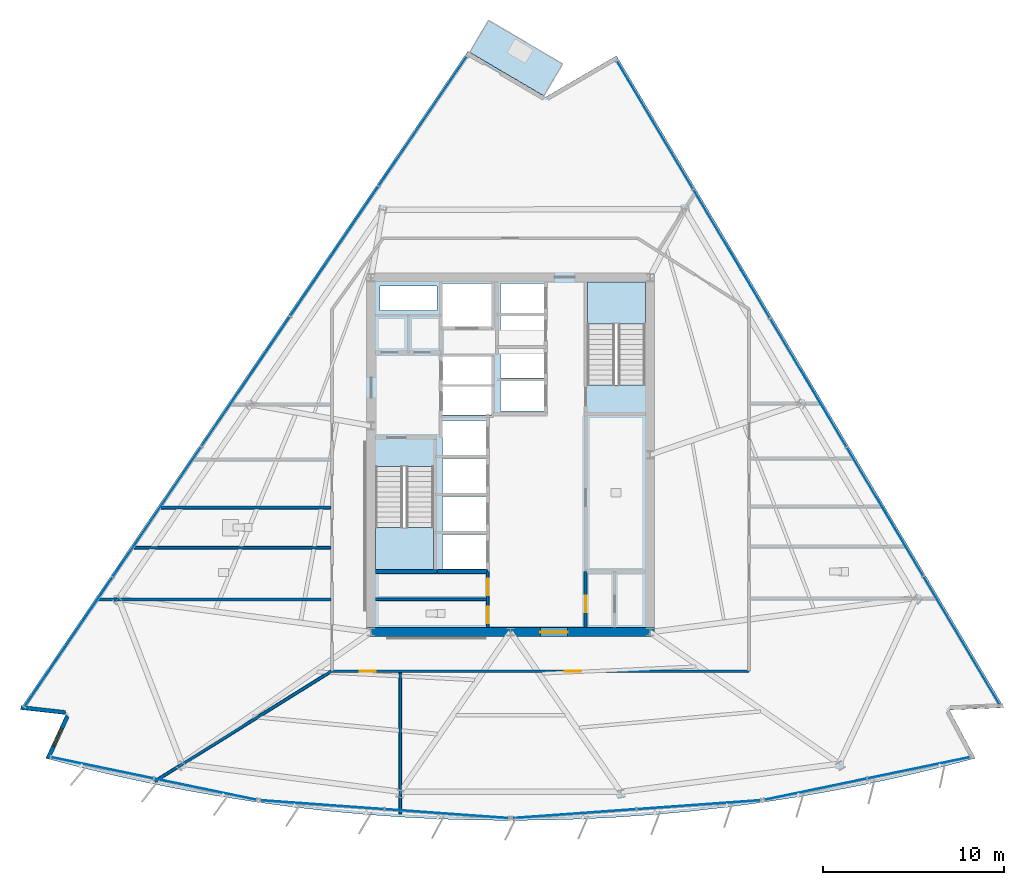
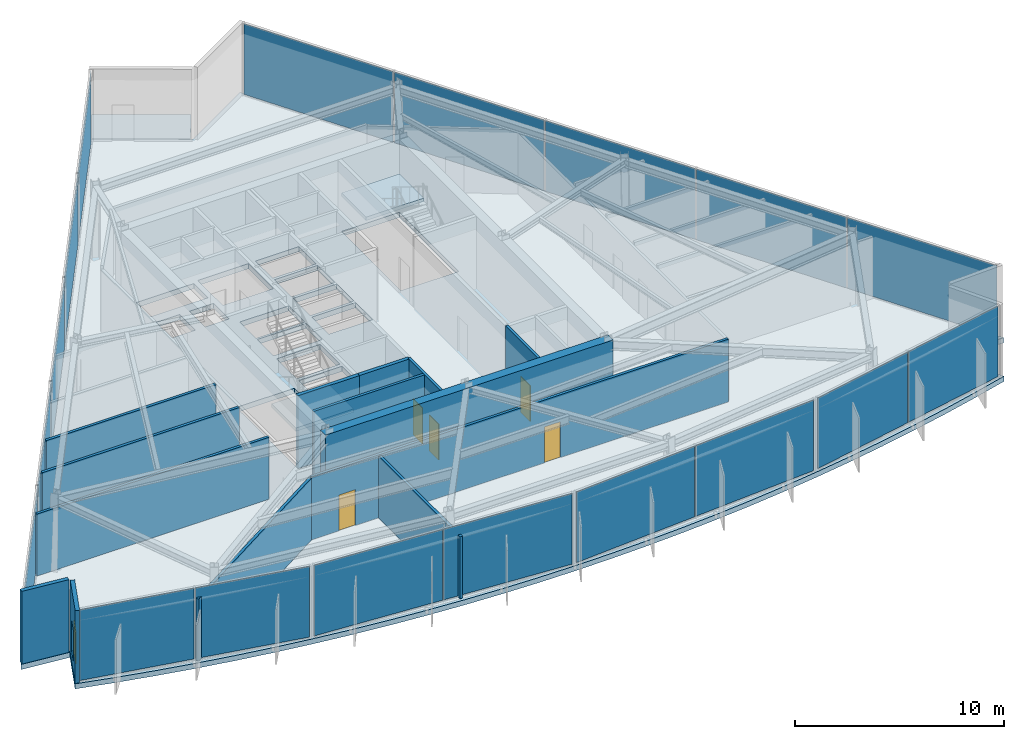
# One storey, part 6 of 14: 18 plates, 14 walls, 6 doors, 4 slabs, 1 window, 7 openings, 8 elements without a shape of their own.
"""IFC4 building model written with IfcOpenShell, lengths in metres."""

from ifc_helpers import new_model, si_unit, direction, frame, frame_2d, origin, origin_2d, place, context, subcontext, project, spatial, polyline, rectangle, outline, extrude, material, layer, layer_set, type_object, element, fill, aggregate, save


model = new_model("IFC4")

# Units and contexts
model_context = context("Model", 3, precision=1e-05, world=origin(), true_north=direction((0.0, 1.0)))
body_context = subcontext(model_context, "Body", "Model", "MODEL_VIEW")
ifc_project = project(units=[si_unit("LENGTHUNIT", "METRE"), si_unit("AREAUNIT", "SQUARE_METRE"), si_unit("VOLUMEUNIT", "CUBIC_METRE"), si_unit("PLANEANGLEUNIT", "RADIAN"), si_unit("MASSUNIT", "GRAM", prefix="KILO")], contexts=[model_context])

# Site, building, storey
site_placement = place(None, origin())
site = spatial("IfcSite", under=ifc_project, at=site_placement, CompositionType="ELEMENT")
building_placement = place(site_placement, origin())
building = spatial("IfcBuilding", under=site, at=building_placement, Name="Savorim Split Tower", CompositionType="ELEMENT")
storey_placement = place(building_placement, frame((0.0, 0.0, 134.10009765625)))
storey = spatial("IfcBuildingStorey", under=building, at=storey_placement, Name="L35", CompositionType="ELEMENT", Elevation=134.10009765625)

# Curtain wall, plates
ifc_material_1 = material(Name="Dark Ceramic-Fritted Insulated Glass", Category="glass")
curtain_wall_type = type_object("IfcCurtainWallType", Name="CW-SKY-ATRIUM", PredefinedType="NOTDEFINED", material=ifc_material_1)
curtain_wall_1_placement = place(storey_placement, origin())
curtain_wall_1 = element("IfcCurtainWall", 1, at=curtain_wall_1_placement, inside=storey, type_object=curtain_wall_type, Name="L35 Curtain Wall CW-L35-SF1", PredefinedType="NOTDEFINED")
ifc_layer_1 = layer(ifc_material_1, 0.028076171875)
ifc_layer_set_1 = layer_set([ifc_layer_1], Name="CWP-FRITA-28")
plate_type = type_object("IfcPlateType", Name="CWP-FRITA-28", PredefinedType="CURTAIN_PANEL", material=ifc_layer_set_1)
plate_1_placement = place(storey_placement, frame((-22.552001953125, -16.8916015625, 0.06005859375), z_axis=(0.0, 0.0, 1.0), x_axis=(0.979135184824, -0.203209964912, 0.0)))
plate_1 = element("IfcPlate", 2, at=plate_1_placement, type_object=plate_type, Name="CW-05 panel 1.1", PredefinedType="CURTAIN_PANEL", context=body_context, shape_type="SweptSolid", body=[
    extrude(rectangle(XDim=5.746337890625, YDim=0.028076171875, at=origin_2d()), origin(), (0.0, 0.0, 1.0), 4.1298828125),
])
plate_2_placement = place(storey_placement, frame((-16.857177734375, -18.07373046875, 0.06005859375), z_axis=(0.0, 0.0, 1.0), x_axis=(0.979135184824, -0.203209964912, 0.0)))
plate_2 = element("IfcPlate", 3, at=plate_2_placement, type_object=plate_type, Name="CW-05 panel 2.1", PredefinedType="CURTAIN_PANEL", context=body_context, shape_type="SweptSolid", body=[
    extrude(rectangle(XDim=5.746337890625, YDim=0.028076171875, at=origin_2d()), origin(), (0.0, 0.0, 1.0), 4.1298828125),
])
aggregate(curtain_wall_1, [plate_1, plate_2])

curtain_wall_2_placement = place(storey_placement, origin())
curtain_wall_2 = element("IfcCurtainWall", 4, at=curtain_wall_2_placement, inside=storey, type_object=curtain_wall_type, Name="L35 Curtain Wall CW-L35-SF2", PredefinedType="NOTDEFINED")
plate_3_placement = place(storey_placement, frame((-10.399658203125, -18.93505859375, 0.06005859375), z_axis=(0.0, 0.0, 1.0), x_axis=(0.997436231017, -0.071560918492, 0.0)))
plate_3 = element("IfcPlate", 5, at=plate_3_placement, type_object=plate_type, Name="CW-05 panel 1.1", PredefinedType="CURTAIN_PANEL", context=body_context, shape_type="SweptSolid", body=[
    extrude(rectangle(XDim=6.8232421875, YDim=0.028076171875, at=origin_2d()), origin(), (0.0, 0.0, 1.0), 4.1298828125),
])
plate_4_placement = place(storey_placement, frame((-3.524169921875, -19.428466796875, 0.06005859375), z_axis=(0.0, 0.0, 1.0), x_axis=(0.997436231017, -0.071560918492, 0.0)))
plate_4 = element("IfcPlate", 6, at=plate_4_placement, type_object=plate_type, Name="CW-05 panel 2.1", PredefinedType="CURTAIN_PANEL", context=body_context, shape_type="SweptSolid", body=[
    extrude(rectangle(XDim=6.8232421875, YDim=0.028076171875, at=origin_2d()), origin(), (0.0, 0.0, 1.0), 4.1298828125),
])
aggregate(curtain_wall_2, [plate_3, plate_4])

curtain_wall_3_placement = place(storey_placement, origin())
curtain_wall_3 = element("IfcCurtainWall", 7, at=curtain_wall_3_placement, inside=storey, type_object=curtain_wall_type, Name="L35 Curtain Wall CW-L35-SF3", PredefinedType="NOTDEFINED")
plate_5_placement = place(storey_placement, frame((3.524169921875, -19.428466796875, 0.06005859375), z_axis=(0.0, 0.0, 1.0), x_axis=(0.997436231017, 0.071560918492, 0.0)))
plate_5 = element("IfcPlate", 8, at=plate_5_placement, type_object=plate_type, Name="CW-05 panel 1.1", PredefinedType="CURTAIN_PANEL", context=body_context, shape_type="SweptSolid", body=[
    extrude(rectangle(XDim=6.8232421875, YDim=0.028076171875, at=origin_2d()), origin(), (0.0, 0.0, 1.0), 4.1298828125),
])
plate_6_placement = place(storey_placement, frame((10.399658203125, -18.93505859375, 0.06005859375), z_axis=(0.0, 0.0, 1.0), x_axis=(0.997436231017, 0.071560918492, 0.0)))
plate_6 = element("IfcPlate", 9, at=plate_6_placement, type_object=plate_type, Name="CW-05 panel 2.1", PredefinedType="CURTAIN_PANEL", context=body_context, shape_type="SweptSolid", body=[
    extrude(rectangle(XDim=6.8232421875, YDim=0.028076171875, at=origin_2d()), origin(), (0.0, 0.0, 1.0), 4.1298828125),
])
aggregate(curtain_wall_3, [plate_5, plate_6])

curtain_wall_4_placement = place(storey_placement, origin())
curtain_wall_4 = element("IfcCurtainWall", 10, at=curtain_wall_4_placement, inside=storey, type_object=curtain_wall_type, Name="L35 Curtain Wall CW-L35-SF4", PredefinedType="NOTDEFINED")
plate_7_placement = place(storey_placement, frame((16.857177734375, -18.07373046875, 0.06005859375), z_axis=(0.0, 0.0, 1.0), x_axis=(0.979135184824, 0.203209964912, 0.0)))
plate_7 = element("IfcPlate", 11, at=plate_7_placement, type_object=plate_type, Name="CW-05 panel 1.1", PredefinedType="CURTAIN_PANEL", context=body_context, shape_type="SweptSolid", body=[
    extrude(rectangle(XDim=5.746337890625, YDim=0.028076171875, at=origin_2d()), origin(), (0.0, 0.0, 1.0), 4.1298828125),
])
plate_8_placement = place(storey_placement, frame((22.552001953125, -16.8916015625, 0.06005859375), z_axis=(0.0, 0.0, 1.0), x_axis=(0.979135184824, 0.203209964912, 0.0)))
plate_8 = element("IfcPlate", 12, at=plate_8_placement, type_object=plate_type, Name="CW-05 panel 2.1", PredefinedType="CURTAIN_PANEL", context=body_context, shape_type="SweptSolid", body=[
    extrude(rectangle(XDim=5.746337890625, YDim=0.028076171875, at=origin_2d()), origin(), (0.0, 0.0, 1.0), 4.1298828125),
])
aggregate(curtain_wall_4, [plate_7, plate_8])

curtain_wall_5_placement = place(storey_placement, origin())
curtain_wall_5 = element("IfcCurtainWall", 13, at=curtain_wall_5_placement, inside=storey, type_object=curtain_wall_type, Name="L35 Curtain Wall CW-L35-EAST", PredefinedType="NOTDEFINED")
plate_9_placement = place(storey_placement, frame((24.92138671875, -9.86328125, 0.06005859375), z_axis=(0.0, 0.0, 1.0), x_axis=(-0.51109080613, 0.859526723197, 0.0)))
plate_9 = element("IfcPlate", 14, at=plate_9_placement, type_object=plate_type, Name="CW-05 panel 1.1", PredefinedType="CURTAIN_PANEL", context=body_context, shape_type="SweptSolid", body=[
    extrude(rectangle(XDim=8.18603515625, YDim=0.028076171875, at=origin_2d()), origin(), (0.0, 0.0, 1.0), 4.1298828125),
])
plate_10_placement = place(storey_placement, frame((20.69287109375, -2.751708984375, 0.06005859375), z_axis=(0.0, 0.0, 1.0), x_axis=(-0.51109080613, 0.859526723197, 0.0)))
plate_10 = element("IfcPlate", 15, at=plate_10_placement, type_object=plate_type, Name="CW-05 panel 2.1", PredefinedType="CURTAIN_PANEL", context=body_context, shape_type="SweptSolid", body=[
    extrude(rectangle(XDim=8.220947265625, YDim=0.028076171875, at=origin_2d()), origin(), (0.0, 0.0, 1.0), 4.1298828125),
])
plate_11_placement = place(storey_placement, frame((16.455322265625, 4.37451171875, 0.06005859375), z_axis=(0.0, 0.0, 1.0), x_axis=(-0.51109080613, 0.859526723197, 0.0)))
plate_11 = element("IfcPlate", 16, at=plate_11_placement, type_object=plate_type, Name="CW-05 panel 3.1", PredefinedType="CURTAIN_PANEL", context=body_context, shape_type="SweptSolid", body=[
    extrude(rectangle(XDim=8.220947265625, YDim=0.028076171875, at=origin_2d()), origin(), (0.0, 0.0, 1.0), 4.1298828125),
])
plate_12_placement = place(storey_placement, frame((12.218017578125, 11.5009765625, 0.06005859375), z_axis=(0.0, 0.0, 1.0), x_axis=(-0.51109080613, 0.859526723197, 0.0)))
plate_12 = element("IfcPlate", 17, at=plate_12_placement, type_object=plate_type, Name="CW-05 panel 4.1", PredefinedType="CURTAIN_PANEL", context=body_context, shape_type="SweptSolid", body=[
    extrude(rectangle(XDim=8.220947265625, YDim=0.028076171875, at=origin_2d()), origin(), (0.0, 0.0, 1.0), 4.1298828125),
])
plate_13_placement = place(storey_placement, frame((7.989501953125, 18.6123046875, 0.06005859375), z_axis=(0.0, 0.0, 1.0), x_axis=(-0.51109080613, 0.859526723197, 0.0)))
plate_13 = element("IfcPlate", 18, at=plate_13_placement, type_object=plate_type, Name="CW-05 panel 5.1", PredefinedType="CURTAIN_PANEL", context=body_context, shape_type="SweptSolid", body=[
    extrude(rectangle(XDim=8.18603515625, YDim=0.028076171875, at=origin_2d()), origin(), (0.0, 0.0, 1.0), 4.1298828125),
])
aggregate(curtain_wall_5, [plate_9, plate_10, plate_11, plate_12, plate_13])

curtain_wall_6_placement = place(storey_placement, origin())
curtain_wall_6 = element("IfcCurtainWall", 19, at=curtain_wall_6_placement, inside=storey, type_object=curtain_wall_type, Name="L35 Curtain Wall CW-L35-WEST", PredefinedType="NOTDEFINED")
plate_14_placement = place(storey_placement, frame((-4.841552734375, 18.826904296875, 0.06005859375), z_axis=(0.0, 0.0, 1.0), x_axis=(-0.562466987768, -0.826819743155, 0.0)))
plate_14 = element("IfcPlate", 20, at=plate_14_placement, type_object=plate_type, Name="CW-05 panel 1.1", PredefinedType="CURTAIN_PANEL", context=body_context, shape_type="SweptSolid", body=[
    extrude(rectangle(XDim=8.603759765625, YDim=0.028076171875, at=origin_2d()), origin(), (0.0, 0.0, 1.0), 4.1298828125),
])
plate_15_placement = place(storey_placement, frame((-9.730224609375, 11.640869140625, 0.06005859375), z_axis=(0.0, 0.0, 1.0), x_axis=(-0.562466987768, -0.826819743155, 0.0)))
plate_15 = element("IfcPlate", 21, at=plate_15_placement, type_object=plate_type, Name="CW-05 panel 2.1", PredefinedType="CURTAIN_PANEL", context=body_context, shape_type="SweptSolid", body=[
    extrude(rectangle(XDim=8.638671875, YDim=0.028076171875, at=origin_2d()), origin(), (0.0, 0.0, 1.0), 4.1298828125),
])
plate_16_placement = place(storey_placement, frame((-14.628662109375, 4.440185546875, 0.06005859375), z_axis=(0.0, 0.0, 1.0), x_axis=(-0.562466987768, -0.826819743155, 0.0)))
plate_16 = element("IfcPlate", 22, at=plate_16_placement, type_object=plate_type, Name="CW-05 panel 3.1", PredefinedType="CURTAIN_PANEL", context=body_context, shape_type="SweptSolid", body=[
    extrude(rectangle(XDim=8.638671875, YDim=0.028076171875, at=origin_2d()), origin(), (0.0, 0.0, 1.0), 4.1298828125),
])
plate_17_placement = place(storey_placement, frame((-19.52685546875, -2.76025390625, 0.06005859375), z_axis=(0.0, 0.0, 1.0), x_axis=(-0.562466987768, -0.826819743155, 0.0)))
plate_17 = element("IfcPlate", 23, at=plate_17_placement, type_object=plate_type, Name="CW-05 panel 4.1", PredefinedType="CURTAIN_PANEL", context=body_context, shape_type="SweptSolid", body=[
    extrude(rectangle(XDim=8.638671875, YDim=0.028076171875, at=origin_2d()), origin(), (0.0, 0.0, 1.0), 4.1298828125),
])
plate_18_placement = place(storey_placement, frame((-24.41552734375, -9.946533203125, 0.06005859375), z_axis=(0.0, 0.0, 1.0), x_axis=(-0.562466987768, -0.826819743155, 0.0)))
plate_18 = element("IfcPlate", 24, at=plate_18_placement, type_object=plate_type, Name="CW-05 panel 5.1", PredefinedType="CURTAIN_PANEL", context=body_context, shape_type="SweptSolid", body=[
    extrude(rectangle(XDim=8.603759765625, YDim=0.028076171875, at=origin_2d()), origin(), (0.0, 0.0, 1.0), 4.1298828125),
])
aggregate(curtain_wall_6, [plate_14, plate_15, plate_16, plate_17, plate_18])

# Slab
ifc_material_2 = material(Name="Concrete C50/60", Category="concrete")
ifc_layer_2 = layer(ifc_material_2, 0.219970703125)
ifc_layer_set_2 = layer_set([ifc_layer_2], Name="SLB-BAL-220")
slab_type_1 = type_object("IfcSlabType", Name="SLB-BAL-220", PredefinedType="FLOOR", material=ifc_layer_set_2)
slab_1_placement = place(storey_placement, frame((0.0, 0.0, -0.22021484375)))
element("IfcSlab", 25, at=slab_1_placement, inside=storey, type_object=slab_type_1, Name="L35 Notched Corner Planted Tree Balcony Slab", PredefinedType="FLOOR", context=body_context, shape_type="SweptSolid", body=[
    extrude(outline(polyline([(-2.252197265625, 22.634521484375), (1.842529296875, 20.227783203125), (2.87890625, 21.990966796875), (-1.2158203125, 24.397705078125), (-2.252197265625, 22.634521484375)])), origin(), (0.0, 0.0, 1.0), 0.22021484375),
])

# Stair, slab
stair_type = type_object("IfcStairType", Name="STR-DOG-4500", PredefinedType="HALF_TURN_STAIR", material=ifc_material_2)
stair_1_placement = place(storey_placement, origin())
stair_1 = element("IfcStair", 26, at=stair_1_placement, inside=storey, type_object=stair_type, Name="L35 Core Protected Exit Stair ST-1", PredefinedType="HALF_TURN_STAIR")
ifc_layer_3 = layer(ifc_material_2, 0.199951171875)
ifc_layer_set_3 = layer_set([ifc_layer_3], Name="SLB-LND-200")
slab_type_2 = type_object("IfcSlabType", Name="SLB-LND-200", PredefinedType="LANDING", material=ifc_layer_set_3)
slab_2_placement = place(storey_placement, frame((0.0, 0.0, 2.0498046875)))
slab_2 = element("IfcSlab", 27, at=slab_2_placement, type_object=slab_type_2, Name="ST-1 landing 1", PredefinedType="LANDING", context=body_context, shape_type="SweptSolid", body=[
    extrude(outline(polyline([(-7.449951171875, -3.610107421875), (-7.449951171875, -5.949951171875), (-4.25, -5.949951171875), (-4.25, -3.610107421875), (-7.449951171875, -3.610107421875)])), origin(), (0.0, 0.0, 1.0), 0.2001953125),
])
aggregate(stair_1, [slab_2])

stair_2_placement = place(storey_placement, origin())
stair_2 = element("IfcStair", 28, at=stair_2_placement, inside=storey, type_object=stair_type, Name="L35 Core Protected Exit Stair ST-2", PredefinedType="HALF_TURN_STAIR")
slab_3_placement = place(storey_placement, frame((0.0, 0.0, 2.0498046875)))
slab_3 = element("IfcSlab", 29, at=slab_3_placement, type_object=slab_type_2, Name="ST-2 landing 1", PredefinedType="LANDING", context=body_context, shape_type="SweptSolid", body=[
    extrude(outline(polyline([(7.449951171875, 7.610107421875), (7.449951171875, 9.949951171875), (4.25, 9.949951171875), (4.25, 7.610107421875), (7.449951171875, 7.610107421875)])), origin(), (0.0, 0.0, 1.0), 0.2001953125),
])
aggregate(stair_2, [slab_3])

# Slab
ifc_layer_4 = layer(ifc_material_2, 0.300048828125)
ifc_layer_set_4 = layer_set([ifc_layer_4], Name="SLB-SKY-300")
slab_type_3 = type_object("IfcSlabType", Name="SLB-SKY-300", PredefinedType="FLOOR", material=ifc_layer_set_4)
slab_4_placement = place(storey_placement, frame((0.0, 0.0, -0.300048828125)))
element("IfcSlab", 30, at=slab_4_placement, inside=storey, type_object=slab_type_3, Name="L35 Structural Floor Slab", PredefinedType="FLOOR", context=body_context, shape_type="SweptSolid", body=[
    extrude(outline(polyline([(-25.673583984375, -16.366455078125), (-23.740234375, -16.8720703125), (-21.797119140625, -17.337890625), (-19.844482421875, -17.763916015625), (-17.8837890625, -18.150146484375), (-15.915771484375, -18.495849609375), (-13.94091796875, -18.801513671875), (-11.960205078125, -19.06640625), (-9.974609375, -19.291015625), (-7.984619140625, -19.474609375), (-5.991455078125, -19.61767578125), (-3.99560546875, -19.7197265625), (-1.998291015625, -19.78125), (0.0, -19.801513671875), (1.998291015625, -19.78125), (3.99560546875, -19.7197265625), (5.991455078125, -19.61767578125), (7.984619140625, -19.474609375), (9.974609375, -19.291015625), (11.960205078125, -19.06640625), (13.94091796875, -18.801513671875), (15.915771484375, -18.495849609375), (17.8837890625, -18.150146484375), (19.844482421875, -17.763916015625), (21.797119140625, -17.337890625), (23.740234375, -16.8720703125), (25.673583984375, -16.366455078125), (24.24169921875, -13.69775390625), (27.2646484375, -13.569091796875), (5.852294921875, 22.44091796875), (1.943603515625, 20.162841796875), (-2.358154296875, 22.69091796875), (-27.097412109375, -13.675537109375), (-24.567138671875, -13.9580078125), (-25.673583984375, -16.366455078125)]), holes=[polyline([(-7.449951171875, -0.25390625), (-7.449951171875, -5.949951171875), (-4.25, -5.949951171875), (-4.25, -0.25390625), (-7.449951171875, -0.25390625)]), polyline([(7.449951171875, 4.25390625), (7.449951171875, 9.949951171875), (4.25, 9.949951171875), (4.25, 4.25390625), (7.449951171875, 4.25390625)]), polyline([(-3.75, -5.89990234375), (-1.35009765625, -5.89990234375), (-1.35009765625, -4.0), (-3.75, -4.0), (-3.75, -5.89990234375)]), polyline([(-3.75, -3.800048828125), (-1.35009765625, -3.800048828125), (-1.35009765625, -1.89990234375), (-3.75, -1.89990234375), (-3.75, -3.800048828125)]), polyline([(-3.75, -1.699951171875), (-1.35009765625, -1.699951171875), (-1.35009765625, 0.199951171875), (-3.75, 0.199951171875), (-3.75, -1.699951171875)]), polyline([(-3.75, 0.39990234375), (-1.35009765625, 0.39990234375), (-1.35009765625, 2.300048828125), (-3.75, 2.300048828125), (-3.75, 0.39990234375)]), polyline([(-0.550048828125, 2.830078125), (1.85009765625, 2.830078125), (1.85009765625, 4.469970703125), (-0.550048828125, 4.469970703125), (-0.550048828125, 2.830078125)]), polyline([(-0.550048828125, 4.6298828125), (1.85009765625, 4.6298828125), (1.85009765625, 6.27001953125), (-0.550048828125, 6.27001953125), (-0.550048828125, 4.6298828125)]), polyline([(-0.550048828125, 6.429931640625), (1.85009765625, 6.429931640625), (1.85009765625, 8.070068359375), (-0.550048828125, 8.070068359375), (-0.550048828125, 6.429931640625)]), polyline([(-0.550048828125, 8.22998046875), (1.85009765625, 8.22998046875), (1.85009765625, 9.8701171875), (-0.550048828125, 9.8701171875), (-0.550048828125, 8.22998046875)]), polyline([(-3.75, 2.60009765625), (-1.050048828125, 2.60009765625), (-1.050048828125, 4.159912109375), (-3.75, 4.159912109375), (-3.75, 2.60009765625)]), polyline([(-3.75, 4.280029296875), (-1.050048828125, 4.280029296875), (-1.050048828125, 5.840087890625), (-3.75, 5.840087890625), (-3.75, 4.280029296875)]), polyline([(-3.75, 7.449951171875), (-0.949951171875, 7.449951171875), (-0.949951171875, 9.85009765625), (-3.75, 9.85009765625), (-3.75, 7.449951171875)]), polyline([(-7.219970703125, 6.320068359375), (-5.919921875, 6.320068359375), (-5.919921875, 7.820068359375), (-7.219970703125, 7.820068359375), (-7.219970703125, 6.320068359375)]), polyline([(-5.3798828125, 6.320068359375), (-4.050048828125, 6.320068359375), (-4.050048828125, 7.820068359375), (-5.3798828125, 7.820068359375), (-5.3798828125, 6.320068359375)]), polyline([(-7.219970703125, 8.360107421875), (-4.050048828125, 8.360107421875), (-4.050048828125, 9.719970703125), (-7.219970703125, 9.719970703125), (-7.219970703125, 8.360107421875)])]), origin(), (0.0, 0.0, 1.0), 0.300048828125),
])

# Wall, opening, door
ifc_material_3 = material(Name="Concrete C60/75", Category="concrete")
ifc_layer_5 = layer(ifc_material_3, 0.5)
ifc_layer_set_5 = layer_set([ifc_layer_5], Name="WAL-COR-SH500")
wall_type_1 = type_object("IfcWallType", Name="WAL-COR-SH500", PredefinedType="SHEAR", material=ifc_layer_set_5)
wall_1_placement = place(storey_placement, frame((-7.949951171875, -9.39990234375, 0.0), z_axis=(0.0, 0.0, 1.0), x_axis=(1.0, 0.0, 0.0)))
wall_1 = element("IfcWall", 31, at=wall_1_placement, inside=storey, type_object=wall_type_1, Name="L35 Offset Core South Shear Wall", PredefinedType="SHEAR", context=body_context, shape_type="SweptSolid", body=[
    extrude(rectangle(XDim=15.89990234375, YDim=0.5, at=frame_2d((7.949951171875, 0.0))), origin(), (0.0, 0.0, 1.0), 4.25),
])
opening_1_placement = place(wall_1_placement, frame((9.60009765625, 0.0, 0.0)))
opening_1 = element("IfcOpeningElement", 32, at=opening_1_placement, cuts=wall_1, Name="Opening DI-02", PredefinedType="OPENING", context=body_context, shape_type="SweptSolid", body=[
    extrude(rectangle(XDim=1.5, YDim=2.199951171875, at=frame_2d((0.75, 1.10009765625))), frame((0.0, 0.260009765625, 0.0), z_axis=(0.0, -1.0, 0.0), x_axis=(1.0, 0.0, 0.0)), (0.0, 0.0, 1.0), 0.52001953125),
])
ifc_material_4 = material(Name="Timber Fire Door Leaf", Category="wood")
door_type_1 = type_object("IfcDoorType", Name="DOR-DBL-1500", OperationType="NOTDEFINED", PredefinedType="DOOR", material=ifc_material_4)
door_1_placement = place(opening_1_placement, origin())
door_1 = element("IfcDoor", 33, at=door_1_placement, inside=storey, type_object=door_type_1, Name="DOR-L35-COR-LLOB - L35 Lift Lobby Main Rated Door", OperationType="DOUBLE_DOOR_SINGLE_SWING", OverallHeight=2.199951171875, OverallWidth=1.5, PredefinedType="DOOR", context=body_context, shape_type="SweptSolid", body=[
    extrude(rectangle(XDim=1.5, YDim=2.199951171875, at=frame_2d((0.75, 1.10009765625))), frame((0.0, 0.02490234375, 0.0), z_axis=(0.0, -1.0, 0.0), x_axis=(1.0, 0.0, 0.0)), (0.0, 0.0, 1.0), 0.050048828125),
])
fill(opening_1, door_1)

# Wall
ifc_material_5 = material(Name="Precast concrete C40/50", Category="concrete")
ifc_layer_6 = layer(ifc_material_5, 0.219970703125)
ifc_layer_set_6 = layer_set([ifc_layer_6], Name="WAL-EXT-CRN220")
wall_type_2 = type_object("IfcWallType", Name="WAL-EXT-CRN220", PredefinedType="SOLIDWALL", material=ifc_layer_set_6)
wall_2_placement = place(storey_placement, frame((-24.593505859375, -13.83447265625, 0.0), z_axis=(0.0, 0.0, 1.0), x_axis=(-0.993823222634, 0.110974781609, 0.0)))
element("IfcWall", 34, at=wall_2_placement, inside=storey, type_object=wall_type_2, Name="L35 Notched Corner Facade Wall SW1", PredefinedType="SOLIDWALL", context=body_context, shape_type="SweptSolid", body=[
    extrude(rectangle(XDim=2.466064453125, YDim=0.219970703125, at=frame_2d((1.23291015625, 0.0))), origin(), (0.0, 0.0, 1.0), 4.25),
])

# Wall, opening, window
wall_3_placement = place(storey_placement, frame((-25.5478515625, -16.380126953125, 0.0), z_axis=(0.0, 0.0, 1.0), x_axis=(0.417449299542, 0.908700215864, 0.0)))
wall_3 = element("IfcWall", 35, at=wall_3_placement, inside=storey, type_object=wall_type_2, Name="L35 Notched Corner Facade Wall SW", PredefinedType="SOLIDWALL", context=body_context, shape_type="SweptSolid", body=[
    extrude(rectangle(XDim=2.5703125, YDim=0.219970703125, at=frame_2d((1.28515625, 0.0))), origin(), (0.0, 0.0, 1.0), 4.25),
])
opening_2_placement = place(wall_3_placement, frame((0.735107421875, 0.0, 0.6201171875)))
opening_2 = element("IfcOpeningElement", 36, at=opening_2_placement, cuts=wall_3, Name="Opening WN-09", PredefinedType="OPENING", context=body_context, shape_type="SweptSolid", body=[
    extrude(rectangle(XDim=1.10009765625, YDim=1.800048828125, at=frame_2d((0.550048828125, 0.89990234375))), frame((0.0, 0.119873046875, 0.0), z_axis=(0.0, -1.0, 0.0), x_axis=(1.0, 0.0, 0.0)), (0.0, 0.0, 1.0), 0.239990234375),
])
ifc_material_6 = material(Name="Low-E Operable Double Glazing", Category="glass")
window_type = type_object("IfcWindowType", Name="WIN-TWR-1100x1800", PartitioningType="SINGLE_PANEL", PredefinedType="WINDOW", material=ifc_material_6)
window_placement = place(opening_2_placement, origin())
window = element("IfcWindow", 37, at=window_placement, inside=storey, type_object=window_type, Name="L35 Operable Corner Window SW", OverallHeight=1.800048828125, OverallWidth=1.10009765625, PartitioningType="SINGLE_PANEL", PredefinedType="WINDOW", context=body_context, shape_type="SweptSolid", body=[
    extrude(rectangle(XDim=1.10009765625, YDim=1.800048828125, at=frame_2d((0.550048828125, 0.89990234375))), frame((0.0, 0.030029296875, 0.0), z_axis=(0.0, -1.0, 0.0), x_axis=(1.0, 0.0, 0.0)), (0.0, 0.0, 1.0), 0.06005859375),
])
fill(opening_2, window)

# Walls
ifc_layer_7 = layer(ifc_material_2, 0.199951171875)
ifc_layer_set_7 = layer_set([ifc_layer_7], Name="WAL-INT-RC200")
wall_type_3 = type_object("IfcWallType", Name="WAL-INT-RC200", PredefinedType="SOLIDWALL", material=ifc_layer_set_7)
wall_4_placement = place(storey_placement, frame((-7.449951171875, -6.050048828125, 0.0), z_axis=(0.0, 0.0, 1.0), x_axis=(1.0, 0.0, 0.0)))
element("IfcWall", 38, at=wall_4_placement, inside=storey, type_object=wall_type_3, Name="L35 Structural Shaft Wall W-L35-KSEP-W", PredefinedType="SOLIDWALL", context=body_context, shape_type="SweptSolid", body=[
    extrude(rectangle(XDim=3.39990234375, YDim=0.199951171875, at=frame_2d((1.699951171875, 0.0))), origin(), (0.0, 0.0, 1.0), 4.25),
])
wall_5_placement = place(storey_placement, frame((-4.0400390625, -6.050048828125, 0.0), z_axis=(0.0, 0.0, 1.0), x_axis=(1.0, 0.0, 0.0)))
element("IfcWall", 39, at=wall_5_placement, inside=storey, type_object=wall_type_3, Name="L35 Partition W-L35-KSEP-W2", PredefinedType="SOLIDWALL", context=body_context, shape_type="SweptSolid", body=[
    extrude(rectangle(XDim=2.7900390625, YDim=0.199951171875, at=frame_2d((1.39501953125, 0.0))), origin(), (0.0, 0.0, 1.0), 4.25),
])

# Wall, openings, doors
ifc_material_7 = material(Name="Acoustic Gypsum Partition Board")
ifc_layer_8 = layer(ifc_material_7, 0.14990234375)
ifc_layer_set_8 = layer_set([ifc_layer_8], Name="WAL-PAR-150")
wall_type_4 = type_object("IfcWallType", Name="WAL-PAR-150", PredefinedType="PARTITIONING", material=ifc_layer_set_8)
wall_6_placement = place(storey_placement, frame((-1.25, -9.14501953125, 0.0), z_axis=(0.0, 0.0, 1.0), x_axis=(0.0, 1.0, 0.0)))
wall_6 = element("IfcWall", 40, at=wall_6_placement, inside=storey, type_object=wall_type_4, Name="L35 Partition W-L35-KLOB-W", PredefinedType="PARTITIONING", context=body_context, shape_type="SweptSolid", body=[
    extrude(rectangle(XDim=3.094970703125, YDim=0.14990234375, at=frame_2d((1.54736328125, 0.0))), origin(), (0.0, 0.0, 1.0), 4.25),
])
opening_3_placement = place(wall_6_placement, frame((1.794921875, 0.0, 0.0)))
opening_3 = element("IfcOpeningElement", 41, at=opening_3_placement, cuts=wall_6, Name="Opening DI-06", PredefinedType="OPENING", context=body_context, shape_type="SweptSolid", body=[
    extrude(rectangle(XDim=0.89990234375, YDim=2.10009765625, at=frame_2d((0.449951171875, 1.050048828125))), frame((0.0, 0.0849609375, 0.0), z_axis=(0.0, -1.0, 0.0), x_axis=(1.0, 0.0, 0.0)), (0.0, 0.0, 1.0), 0.169921875),
])
opening_4_placement = place(wall_6_placement, frame((0.2451171875, 0.0, 0.0)))
opening_4 = element("IfcOpeningElement", 42, at=opening_4_placement, cuts=wall_6, Name="Opening DI-11", PredefinedType="OPENING", context=body_context, shape_type="SweptSolid", body=[
    extrude(rectangle(XDim=0.89990234375, YDim=2.10009765625, at=frame_2d((0.449951171875, 1.050048828125))), frame((0.0, 0.0849609375, 0.0), z_axis=(0.0, -1.0, 0.0), x_axis=(1.0, 0.0, 0.0)), (0.0, 0.0, 1.0), 0.169921875),
])
door_type_2 = type_object("IfcDoorType", Name="DOR-FIR-900", OperationType="NOTDEFINED", PredefinedType="DOOR", material=ifc_material_4)
door_2_placement = place(opening_3_placement, origin())
door_2 = element("IfcDoor", 43, at=door_2_placement, inside=storey, type_object=door_type_2, Name="DR-L35-K2CLN - L35 Cleaning Store Door", OperationType="SINGLE_SWING_LEFT", OverallHeight=2.10009765625, OverallWidth=0.89990234375, PredefinedType="DOOR", context=body_context, shape_type="SweptSolid", body=[
    extrude(rectangle(XDim=0.89990234375, YDim=2.10009765625, at=frame_2d((0.449951171875, 1.050048828125))), frame((0.0, 0.02490234375, 0.0), z_axis=(0.0, -1.0, 0.0), x_axis=(1.0, 0.0, 0.0)), (0.0, 0.0, 1.0), 0.050048828125),
])
fill(opening_3, door_2)
ifc_material_8 = material(Name="Oak Veneer Acoustic Door")
door_type_3 = type_object("IfcDoorType", Name="DOR-WC-900", OperationType="NOTDEFINED", PredefinedType="DOOR", material=ifc_material_8)
door_3_placement = place(opening_4_placement, origin())
door_3 = element("IfcDoor", 44, at=door_3_placement, inside=storey, type_object=door_type_3, Name="DR-L35-K2WC - L35 Core WC Door", OperationType="SINGLE_SWING_RIGHT", OverallHeight=2.10009765625, OverallWidth=0.89990234375, PredefinedType="DOOR", context=body_context, shape_type="SweptSolid", body=[
    extrude(rectangle(XDim=0.89990234375, YDim=2.10009765625, at=frame_2d((0.449951171875, 1.050048828125))), frame((0.0, 0.02490234375, 0.0), z_axis=(0.0, -1.0, 0.0), x_axis=(1.0, 0.0, 0.0)), (0.0, 0.0, 1.0), 0.050048828125),
])
fill(opening_4, door_3)

# Wall, opening, door
wall_7_placement = place(storey_placement, frame((4.14990234375, -9.14501953125, 0.0), z_axis=(0.0, 0.0, 1.0), x_axis=(0.0, 1.0, 0.0)))
wall_7 = element("IfcWall", 45, at=wall_7_placement, inside=storey, type_object=wall_type_4, Name="L35 Partition W-L35-KLOB-E", PredefinedType="PARTITIONING", context=body_context, shape_type="SweptSolid", body=[
    extrude(rectangle(XDim=3.094970703125, YDim=0.14990234375, at=frame_2d((1.54736328125, 0.0))), origin(), (0.0, 0.0, 1.0), 4.25),
])
opening_5_placement = place(wall_7_placement, frame((0.844970703125, 0.0, 0.0)))
opening_5 = element("IfcOpeningElement", 46, at=opening_5_placement, cuts=wall_7, Name="Opening DI-06", PredefinedType="OPENING", context=body_context, shape_type="SweptSolid", body=[
    extrude(rectangle(XDim=0.89990234375, YDim=2.10009765625, at=frame_2d((0.449951171875, 1.050048828125))), frame((0.0, 0.0849609375, 0.0), z_axis=(0.0, -1.0, 0.0), x_axis=(1.0, 0.0, 0.0)), (0.0, 0.0, 1.0), 0.169921875),
])
door_4_placement = place(opening_5_placement, origin())
door_4 = element("IfcDoor", 47, at=door_4_placement, inside=storey, type_object=door_type_2, Name="DR-L35-K2PAN - L35 Vending Pantry Door", OperationType="SINGLE_SWING_LEFT", OverallHeight=2.10009765625, OverallWidth=0.89990234375, PredefinedType="DOOR", context=body_context, shape_type="SweptSolid", body=[
    extrude(rectangle(XDim=0.89990234375, YDim=2.10009765625, at=frame_2d((0.449951171875, 1.050048828125))), frame((0.0, 0.02490234375, 0.0), z_axis=(0.0, -1.0, 0.0), x_axis=(1.0, 0.0, 0.0)), (0.0, 0.0, 1.0), 0.050048828125),
])
fill(opening_5, door_4)

# Wall
wall_8_placement = place(storey_placement, frame((-7.445068359375, -7.580078125, 0.0), z_axis=(0.0, 0.0, 1.0), x_axis=(1.0, 0.0, 0.0)))
element("IfcWall", 48, at=wall_8_placement, inside=storey, type_object=wall_type_4, Name="L35 Partition W-L35-K2H", PredefinedType="PARTITIONING", context=body_context, shape_type="SweptSolid", body=[
    extrude(rectangle(XDim=6.195068359375, YDim=0.14990234375, at=frame_2d((3.09765625, 0.0))), origin(), (0.0, 0.0, 1.0), 4.25),
])

# Wall, openings, doors
wall_9_placement = place(storey_placement, frame((13.179931640625, -11.56005859375, 0.0), z_axis=(0.0, 0.0, 1.0), x_axis=(-1.0, 0.0, 0.0)))
wall_9 = element("IfcWall", 49, at=wall_9_placement, inside=storey, type_object=wall_type_4, Name="L35 Partition W-L35-COR-06", PredefinedType="PARTITIONING", context=body_context, shape_type="SweptSolid", body=[
    extrude(rectangle(XDim=23.0400390625, YDim=0.14990234375, at=frame_2d((11.52001953125, 0.0))), origin(), (0.0, 0.0, 1.0), 3.6748046875),
])
opening_6_placement = place(wall_9_placement, frame((20.61962890625, 0.0, 0.0)))
opening_6 = element("IfcOpeningElement", 50, at=opening_6_placement, cuts=wall_9, Name="Opening DI-06", PredefinedType="OPENING", context=body_context, shape_type="SweptSolid", body=[
    extrude(rectangle(XDim=0.89990234375, YDim=2.10009765625, at=frame_2d((0.449951171875, 1.050048828125))), frame((0.0, 0.0849609375, 0.0), z_axis=(0.0, -1.0, 0.0), x_axis=(1.0, 0.0, 0.0)), (0.0, 0.0, 1.0), 0.169921875),
])
opening_7_placement = place(wall_9_placement, frame((9.278076171875, 0.0, 0.0)))
opening_7 = element("IfcOpeningElement", 51, at=opening_7_placement, cuts=wall_9, Name="Opening DI-06", PredefinedType="OPENING", context=body_context, shape_type="SweptSolid", body=[
    extrude(rectangle(XDim=0.89990234375, YDim=2.10009765625, at=frame_2d((0.449951171875, 1.050048828125))), frame((0.0, 0.0849609375, 0.0), z_axis=(0.0, -1.0, 0.0), x_axis=(1.0, 0.0, 0.0)), (0.0, 0.0, 1.0), 0.169921875),
])
door_5_placement = place(opening_6_placement, origin())
door_5 = element("IfcDoor", 52, at=door_5_placement, inside=storey, type_object=door_type_2, Name="DR-L35-RM05 - L35 Co-Working Commons Entry Door", OperationType="SINGLE_SWING_RIGHT", OverallHeight=2.10009765625, OverallWidth=0.89990234375, PredefinedType="DOOR", context=body_context, shape_type="SweptSolid", body=[
    extrude(rectangle(XDim=0.89990234375, YDim=2.10009765625, at=frame_2d((0.449951171875, 1.050048828125))), frame((0.0, 0.02490234375, 0.0), z_axis=(0.0, -1.0, 0.0), x_axis=(1.0, 0.0, 0.0)), (0.0, 0.0, 1.0), 0.050048828125),
])
fill(opening_6, door_5)
door_6_placement = place(opening_7_placement, origin())
door_6 = element("IfcDoor", 53, at=door_6_placement, inside=storey, type_object=door_type_2, Name="DR-L35-RM06 - L35 Co-Working Commons Entry Door", OperationType="SINGLE_SWING_LEFT", OverallHeight=2.10009765625, OverallWidth=0.89990234375, PredefinedType="DOOR", context=body_context, shape_type="SweptSolid", body=[
    extrude(rectangle(XDim=0.89990234375, YDim=2.10009765625, at=frame_2d((0.449951171875, 1.050048828125))), frame((0.0, 0.02490234375, 0.0), z_axis=(0.0, -1.0, 0.0), x_axis=(1.0, 0.0, 0.0)), (0.0, 0.0, 1.0), 0.050048828125),
])
fill(opening_7, door_6)

# Walls
wall_10_placement = place(storey_placement, frame((-9.896240234375, -11.5576171875, 0.0), z_axis=(0.0, 0.0, 1.0), x_axis=(-0.848533171775, -0.529142189206, 0.0)))
element("IfcWall", 54, at=wall_10_placement, inside=storey, type_object=wall_type_4, Name="L35 Partition W-L35-SLR01", PredefinedType="PARTITIONING", context=body_context, shape_type="SweptSolid", body=[
    extrude(rectangle(XDim=11.47900390625, YDim=0.14990234375, at=frame_2d((5.739501953125, 0.0))), origin(), (0.0, 0.0, 1.0), 3.625),
])
wall_11_placement = place(storey_placement, frame((-6.09765625, -11.6201171875, 0.0), z_axis=(0.0, 0.0, 1.0), x_axis=(0.0, -1.0, 0.0)))
element("IfcWall", 55, at=wall_11_placement, inside=storey, type_object=wall_type_4, Name="L35 Partition W-L35-SLR02", PredefinedType="PARTITIONING", context=body_context, shape_type="SweptSolid", body=[
    extrude(rectangle(XDim=7.8193359375, YDim=0.14990234375, at=frame_2d((3.90966796875, 0.0))), origin(), (0.0, 0.0, 1.0), 3.625),
])
wall_12_placement = place(storey_placement, frame((-9.919921875, -7.59814453125, 0.0), z_axis=(0.0, 0.0, 1.0), x_axis=(-1.0, 0.0, 0.0)))
element("IfcWall", 56, at=wall_12_placement, inside=storey, type_object=wall_type_4, Name="L35 Partition W-L35-SLR10", PredefinedType="PARTITIONING", context=body_context, shape_type="SweptSolid", body=[
    extrude(rectangle(XDim=12.837646484375, YDim=0.14990234375, at=frame_2d((6.4189453125, 0.0))), origin(), (0.0, 0.0, 1.0), 3.625),
])
wall_13_placement = place(storey_placement, frame((-9.919921875, -2.515869140625, 0.0), z_axis=(0.0, 0.0, 1.0), x_axis=(-1.0, 0.0, 0.0)))
element("IfcWall", 57, at=wall_13_placement, inside=storey, type_object=wall_type_4, Name="L35 Partition W-L35-SLSUB01", PredefinedType="PARTITIONING", context=body_context, shape_type="SweptSolid", body=[
    extrude(rectangle(XDim=9.380126953125, YDim=0.14990234375, at=frame_2d((4.68994140625, 0.0))), origin(), (0.0, 0.0, 1.0), 3.625),
])
wall_14_placement = place(storey_placement, frame((-9.919921875, -4.737060546875, 0.0), z_axis=(0.0, 0.0, 1.0), x_axis=(-1.0, 0.0, 0.0)))
element("IfcWall", 58, at=wall_14_placement, inside=storey, type_object=wall_type_4, Name="L35 Partition W-L35-SLSUB04", PredefinedType="PARTITIONING", context=body_context, shape_type="SweptSolid", body=[
    extrude(rectangle(XDim=10.891357421875, YDim=0.14990234375, at=frame_2d((5.44580078125, 0.0))), origin(), (0.0, 0.0, 1.0), 3.625),
])

save(model, "model.ifc")
